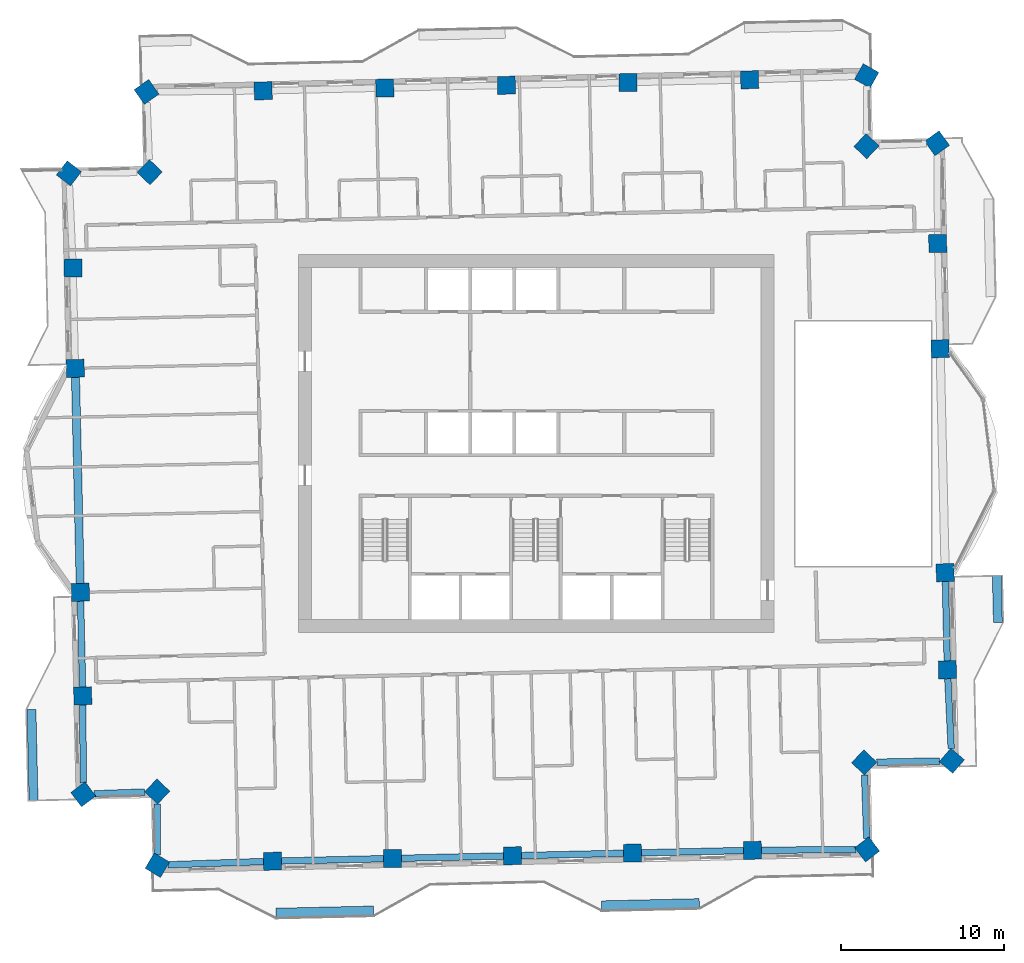
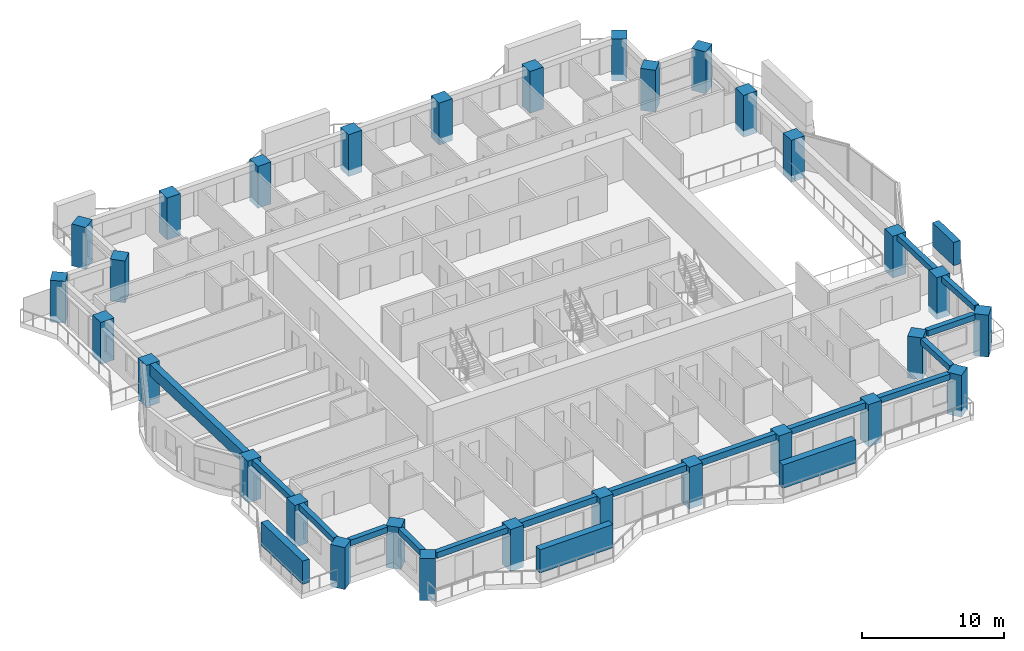
# One storey, part 1 of 16: 30 columns, 15 beams, 4 members.
"""IFC4 building model written with IfcOpenShell, lengths in metres."""

from ifc_helpers import new_model, si_unit, direction, frame, origin, origin_2d, place, context, subcontext, project, spatial, rectangle, extrude, material, material_profile, profile_set, type_object, element, save


model = new_model("IFC4")

# Units and contexts
model_context = context("Model", 3, precision=1e-05, world=origin(), true_north=direction((0.0, 1.0)))
body_context = subcontext(model_context, "Body", "Model", "MODEL_VIEW")
ifc_project = project(units=[si_unit("LENGTHUNIT", "METRE"), si_unit("AREAUNIT", "SQUARE_METRE"), si_unit("VOLUMEUNIT", "CUBIC_METRE"), si_unit("PLANEANGLEUNIT", "RADIAN"), si_unit("MASSUNIT", "GRAM", prefix="KILO")], contexts=[model_context])

# Site, building, storey
site_placement = place(None, origin())
site = spatial("IfcSite", under=ifc_project, at=site_placement, CompositionType="ELEMENT")
building_placement = place(site_placement, origin())
building = spatial("IfcBuilding", under=site, at=building_placement, Name="Mangrove Gate Tower", CompositionType="ELEMENT")
storey_placement = place(building_placement, frame((0.0, 0.0, 231.10009765625)))
storey = spatial("IfcBuildingStorey", under=building, at=storey_placement, Name="L58", CompositionType="ELEMENT", Elevation=231.10009765625)

# Columns
ifc_material_1 = material(Name="Concrete C60/75", Category="concrete")
ifc_material_profile_1 = material_profile(ifc_material_1, rectangle(XDim=1.10009765625, YDim=1.10009765625, at=origin_2d()))
ifc_profile_set_1 = profile_set([ifc_material_profile_1], Name="Concrete C60/75")
column_type = type_object("IfcColumnType", Name="Column RC 1100x1100 C60/75", PredefinedType="COLUMN", material=ifc_profile_set_1)
for number, where, z_axis, x_axis, name in (
    (1, (-27.9912109375, -9.12548828125, -0.550048828125), (0.0, 0.0, 1.0), (0.022671716894, -0.999742963593, 0.0), "Column L58 W05"),
    (2, (-27.84716796875, -15.486572265625, -0.550048828125), (0.0, 0.0, 1.0), (0.02271069751, -0.999742078848, 0.0), "Column L58 W06"),
    (3, (-27.813720703125, -21.52783203125, -0.550048828125), (0.0, 0.0, 1.0), (0.604088172923, -0.796917485901, 0.0), "Column L58 W07"),
    (4, (-23.27392578125, -21.3583984375, -0.550048828125), (0.0, 0.0, 1.0), (0.722988982899, -0.690859559249, 0.0), "Column L58 W08"),
    (5, (-23.2685546875, -25.880859375, -0.550048828125), (0.0, 0.0, 1.0), (0.860102602096, -0.510121077655, 0.0), "Column L58 S01"),
    (6, (-16.195556640625, -25.63720703125, -0.550048828125), (0.0, 0.0, 1.0), (0.999743095343, 0.022665906441, 0.0), "Column L58 S02"),
    (7, (-8.829345703125, -25.47021484375, -0.550048828125), (0.0, 0.0, 1.0), (0.999743095343, 0.022665906441, 0.0), "Column L58 S03"),
    (8, (-1.46337890625, -25.30322265625, -0.550048828125), (0.0, 0.0, 1.0), (0.999743095343, 0.022665906441, 0.0), "Column L58 S04"),
    (9, (5.902587890625, -25.13623046875, -0.550048828125), (0.0, 0.0, 1.0), (0.999743095343, 0.022665906441, 0.0), "Column L58 S05"),
    (10, (13.2685546875, -24.96923828125, -0.550048828125), (0.0, 0.0, 1.0), (0.999741555365, 0.022733729908, 0.0), "Column L58 S06"),
    (11, (20.31201171875, -24.914794921875, -0.550048828125), (0.0, 0.0, 1.0), (0.792957554961, 0.609276879612, 0.0), "Column L58 S07"),
    (12, (20.12744140625, -19.572998046875, -0.550048828125), (0.0, 0.0, 1.0), (0.690952060098, 0.72290058144, 0.0), "Column L58 E01"),
    (13, (25.508056640625, -19.47021484375, -0.550048828125), (0.0, 0.0, 1.0), (0.654234577243, 0.756291688398, 0.0), "Column L58 E02"),
    (14, (25.238037109375, -13.881591796875, -0.550048828125), (0.0, 0.0, 1.0), (-0.022727116819, 0.999741705723, 0.0), "Column L58 E03"),
    (15, (25.10302734375, -7.92138671875, -0.550048828125), (0.0, 0.0, 1.0), (-0.022676462969, 0.999742855952, 0.0), "Column L58 E04"),
    (16, (24.791259765625, 5.825439453125, -0.550048828125), (0.0, 0.0, 1.0), (-0.022707923152, 0.999742141868, 0.0), "Column L58 E05"),
    (17, (24.64404296875, 12.28662109375, -0.550048828125), (0.0, 0.0, 1.0), (-0.022668680801, 0.999743032439, 0.0), "Column L58 E06"),
    (18, (24.6005859375, 18.440185546875, -0.550048828125), (0.0, 0.0, 1.0), (-0.581359179883, 0.813647038934, 0.0), "Column L58 E07"),
    (19, (20.26904296875, 18.262451171875, -0.550048828125), (0.0, 0.0, 1.0), (-0.722994264183, 0.690854032309, 0.0), "Column L58 E08"),
    (20, (20.28076171875, 22.578857421875, -0.550048828125), (0.0, 0.0, 1.0), (-0.872897238591, 0.487904100064, 0.0), "Column L58 N01"),
    (21, (13.095458984375, 22.339111328125, -0.550048828125), (0.0, 0.0, 1.0), (-0.999742388325, -0.022697070002, 0.0), "Column L58 N02"),
    (22, (5.62939453125, 22.170166015625, -0.550048828125), (0.0, 0.0, 1.0), (-0.999743905277, -0.022630153817, 0.0), "Column L58 N03"),
    (23, (-1.83642578125, 22.001220703125, -0.550048828125), (0.0, 0.0, 1.0), (-0.999742388325, -0.022697070002, 0.0), "Column L58 N04"),
    (24, (-9.302490234375, 21.8310546875, -0.550048828125), (0.0, 0.0, 1.0), (-0.999742388325, -0.022697070002, 0.0), "Column L58 N05"),
    (25, (-16.7685546875, 21.662109375, -0.550048828125), (0.0, 0.0, 1.0), (-0.999742388325, -0.022697070002, 0.0), "Column L58 N06"),
    (26, (-23.9306640625, 21.592041015625, -0.550048828125), (0.0, 0.0, 1.0), (-0.818137935301, -0.575022015946, 0.0), "Column L58 N07"),
    (27, (-23.736328125, 16.6640625, -0.550048828125), (0.0, 0.0, 1.0), (-0.690946470748, -0.722905923728, 0.0), "Column L58 W01"),
    (28, (-28.6982421875, 16.59326171875, -0.550048828125), (0.0, 0.0, 1.0), (-0.612246894698, -0.790666642734, 0.0), "Column L58 W02"),
    (29, (-28.443115234375, 10.781494140625, -0.550048828125), (0.0, 0.0, 1.0), (0.022719561495, -0.999741877449, 0.0), "Column L58 W03"),
    (30, (-28.30322265625, 4.62158203125, -0.550048828125), (0.0, 0.0, 1.0), (0.022699722219, -0.999742328108, 0.0), "Column L58 W04"),
):
    element("IfcColumn", number, at=place(storey_placement, frame(where, z_axis=z_axis, x_axis=x_axis)), inside=storey, type_object=column_type, Name=name, PredefinedType="COLUMN", context=body_context, shape_type="SweptSolid", body=[
        extrude(rectangle(XDim=1.10009765625, YDim=1.10009765625, at=origin_2d()), origin(), (0.0, 0.0, 1.0), 3.599853515625),
    ])

# Members
ifc_material_2 = material(Name="Planting on aluminium trellis", Category="aluminium")
ifc_material_profile_2 = material_profile(ifc_material_2, rectangle(XDim=0.550048828125, YDim=2.0, at=origin_2d()))
ifc_profile_set_2 = profile_set([ifc_material_profile_2], Name="Planting on aluminium trellis")
member_type = type_object("IfcMemberType", Name="Balcony greenery screen 550x2000", PredefinedType="USERDEFINED", material=ifc_profile_set_2)
member_1_placement = place(storey_placement, frame((28.337890625, -10.972900390625, 1.7998046875), z_axis=(-0.02259214234, 0.99974476498, 0.0), x_axis=(-0.99974476498, -0.02259214234, 0.0)))
element("IfcMember", 31, at=member_1_placement, inside=storey, type_object=member_type, Name="GREEN SCREEN L58 E0.1", ObjectType="PLANTING", PredefinedType="USERDEFINED", context=body_context, shape_type="SweptSolid", body=[
    extrude(rectangle(XDim=0.550048828125, YDim=2.0, at=origin_2d()), origin(), (0.0, 0.0, 1.0), 2.87451171875),
])
member_2_placement = place(storey_placement, frame((-30.866943359375, -21.9189453125, 1.7998046875), z_axis=(-0.022672873977, 0.999742937352, 0.0), x_axis=(-0.999742937352, -0.022672873977, 0.0)))
element("IfcMember", 32, at=member_2_placement, inside=storey, type_object=member_type, Name="GREEN SCREEN L58 W1.1", ObjectType="PLANTING", PredefinedType="USERDEFINED", context=body_context, shape_type="SweptSolid", body=[
    extrude(rectangle(XDim=0.550048828125, YDim=2.0, at=origin_2d()), origin(), (0.0, 0.0, 1.0), 5.599365234375),
])
for number, where, z_axis, x_axis, name in (
    (33, (-15.988037109375, -28.798095703125, 1.7998046875), (0.999743178102, 0.022662255828, 0.0), (-0.022662255828, 0.999743178102, 0.0), "GREEN SCREEN L58 S0.1"),
    (34, (4.007080078125, -28.344970703125, 1.7998046875), (0.999743178102, 0.022662255828, 0.0), (-0.022662255828, 0.999743178102, 0.0), "GREEN SCREEN L58 S1.1"),
):
    element("IfcMember", number, at=place(storey_placement, frame(where, z_axis=z_axis, x_axis=x_axis)), inside=storey, type_object=member_type, Name=name, ObjectType="PLANTING", PredefinedType="USERDEFINED", context=body_context, shape_type="SweptSolid", body=[
        extrude(rectangle(XDim=0.550048828125, YDim=2.0, at=origin_2d()), origin(), (0.0, 0.0, 1.0), 6.00048828125),
    ])

# Beams
ifc_material_3 = material(Name="Concrete C50/60", Category="concrete")
ifc_material_profile_3 = material_profile(ifc_material_3, rectangle(XDim=0.39990234375, YDim=0.5, at=origin_2d()))
ifc_profile_set_3 = profile_set([ifc_material_profile_3], Name="Concrete C50/60")
beam_type_1 = type_object("IfcBeamType", Name="Edge beam RC 400x500 C50/60", PredefinedType="BEAM", material=ifc_profile_set_3)
beam_1_placement = place(storey_placement, frame((-27.978759765625, -9.67529296875, 2.7998046875), z_axis=(0.022638157735, -0.999743724069, 0.0), x_axis=(0.999743724069, 0.022638157735, 0.0)))
element("IfcBeam", 35, at=beam_1_placement, inside=storey, type_object=beam_type_1, Name="Edge beam L58 00", PredefinedType="BEAM", context=body_context, shape_type="SweptSolid", body=[
    extrude(rectangle(XDim=0.39990234375, YDim=0.5, at=origin_2d()), origin(), (0.0, 0.0, 1.0), 5.262939453125),
])
beam_2_placement = place(storey_placement, frame((-27.843994140625, -16.03662109375, 2.7998046875), z_axis=(0.005539377327, -0.999984657532, 0.0), x_axis=(0.999984657532, 0.005539377327, 0.0)))
element("IfcBeam", 36, at=beam_2_placement, inside=storey, type_object=beam_type_1, Name="Edge beam L58 01", PredefinedType="BEAM", context=body_context, shape_type="SweptSolid", body=[
    extrude(rectangle(XDim=0.39990234375, YDim=0.5, at=origin_2d()), origin(), (0.0, 0.0, 1.0), 4.803955078125),
])
beam_3_placement = place(storey_placement, frame((-27.142578125, -21.502685546875, 2.7998046875), z_axis=(0.999304995384, 0.037276349084, 0.0), x_axis=(-0.037276349084, 0.999304995384, 0.0)))
element("IfcBeam", 37, at=beam_3_placement, inside=storey, type_object=beam_type_1, Name="Edge beam L58 02", PredefinedType="BEAM", context=body_context, shape_type="SweptSolid", body=[
    extrude(rectangle(XDim=0.39990234375, YDim=0.5, at=origin_2d()), origin(), (0.0, 0.0, 1.0), 3.1044921875),
])
beam_4_placement = place(storey_placement, frame((-23.273193359375, -22.119873046875, 2.7998046875), z_axis=(0.001251563475, -0.999999216794, 0.0), x_axis=(0.999999216794, 0.001251563475, 0.0)))
element("IfcBeam", 38, at=beam_4_placement, inside=storey, type_object=beam_type_1, Name="Edge beam L58 03", PredefinedType="BEAM", context=body_context, shape_type="SweptSolid", body=[
    extrude(rectangle(XDim=0.39990234375, YDim=0.5, at=origin_2d()), origin(), (0.0, 0.0, 1.0), 3.12109375),
])
beam_5_placement = place(storey_placement, frame((-22.61572265625, -25.8583984375, 2.7998046875), z_axis=(0.999406246135, 0.034455118442, 0.0), x_axis=(-0.034455118442, 0.999406246135, 0.0)))
element("IfcBeam", 39, at=beam_5_placement, inside=storey, type_object=beam_type_1, Name="Edge beam L58 04", PredefinedType="BEAM", context=body_context, shape_type="SweptSolid", body=[
    extrude(rectangle(XDim=0.39990234375, YDim=0.5, at=origin_2d()), origin(), (0.0, 0.0, 1.0), 5.8740234375),
])
beam_6_placement = place(storey_placement, frame((13.818603515625, -24.96484375, 2.7998046875), z_axis=(0.999970370697, 0.007697904166, 0.0), x_axis=(-0.007697904166, 0.999970370697, 0.0)))
element("IfcBeam", 40, at=beam_6_placement, inside=storey, type_object=beam_type_1, Name="Edge beam L58 09", PredefinedType="BEAM", context=body_context, shape_type="SweptSolid", body=[
    extrude(rectangle(XDim=0.39990234375, YDim=0.5, at=origin_2d()), origin(), (0.0, 0.0, 1.0), 5.803955078125),
])
beam_7_placement = place(storey_placement, frame((20.28857421875, -24.2392578125, 2.7998046875), z_axis=(-0.034490302701, 0.999405032517, 0.0), x_axis=(-0.999405032517, -0.034490302701, 0.0)))
element("IfcBeam", 41, at=beam_7_placement, inside=storey, type_object=beam_type_1, Name="Edge beam L58 10", PredefinedType="BEAM", context=body_context, shape_type="SweptSolid", body=[
    extrude(rectangle(XDim=0.39990234375, YDim=0.5, at=origin_2d()), origin(), (0.0, 0.0, 1.0), 3.900390625),
])
beam_8_placement = place(storey_placement, frame((20.90234375, -19.55810546875, 2.7998046875), z_axis=(0.999818208127, 0.019067005485, 0.0), x_axis=(-0.019067005485, 0.999818208127, 0.0)))
element("IfcBeam", 42, at=beam_8_placement, inside=storey, type_object=beam_type_1, Name="Edge beam L58 11", PredefinedType="BEAM", context=body_context, shape_type="SweptSolid", body=[
    extrude(rectangle(XDim=0.39990234375, YDim=0.5, at=origin_2d()), origin(), (0.0, 0.0, 1.0), 3.866943359375),
])
beam_9_placement = place(storey_placement, frame((25.471435546875, -18.711181640625, 2.7998046875), z_axis=(-0.048258123247, 0.998834898039, 0.0), x_axis=(-0.998834898039, -0.048258123247, 0.0)))
element("IfcBeam", 43, at=beam_9_placement, inside=storey, type_object=beam_type_1, Name="Edge beam L58 12", PredefinedType="BEAM", context=body_context, shape_type="SweptSolid", body=[
    extrude(rectangle(XDim=0.39990234375, YDim=0.5, at=origin_2d()), origin(), (0.0, 0.0, 1.0), 4.284912109375),
])
beam_10_placement = place(storey_placement, frame((25.2255859375, -13.33154296875, 2.7998046875), z_axis=(-0.022649535507, 0.999743466366, 0.0), x_axis=(-0.999743466366, -0.022649535507, 0.0)))
element("IfcBeam", 44, at=beam_10_placement, inside=storey, type_object=beam_type_1, Name="Edge beam L58 13", PredefinedType="BEAM", context=body_context, shape_type="SweptSolid", body=[
    extrude(rectangle(XDim=0.39990234375, YDim=0.5, at=origin_2d()), origin(), (0.0, 0.0, 1.0), 4.861328125),
])
ifc_material_4 = material(Name="Concrete C50/60", Category="concrete")
ifc_material_profile_4 = material_profile(ifc_material_4, rectangle(XDim=0.39990234375, YDim=0.550048828125, at=origin_2d()))
ifc_profile_set_4 = profile_set([ifc_material_profile_4], Name="Concrete C50/60")
beam_type_2 = type_object("IfcBeamType", Name="Edge beam RC 400x550 C50/60", PredefinedType="BEAM", material=ifc_profile_set_4)
for number, where, z_axis, x_axis, name in (
    (45, (-15.6455078125, -25.624755859375, 2.77490234375), (0.999743000577, 0.022670085963, 0.0), (-0.022670085963, 0.999743000577, 0.0), "Edge beam L58 05"),
    (46, (-8.279541015625, -25.457763671875, 2.77490234375), (0.999743000577, 0.022670085963, 0.0), (-0.022670085963, 0.999743000577, 0.0), "Edge beam L58 06"),
):
    element("IfcBeam", number, at=place(storey_placement, frame(where, z_axis=z_axis, x_axis=x_axis)), inside=storey, type_object=beam_type_2, Name=name, PredefinedType="BEAM", context=body_context, shape_type="SweptSolid", body=[
        extrude(rectangle(XDim=0.39990234375, YDim=0.550048828125, at=origin_2d()), origin(), (0.0, 0.0, 1.0), 6.267822265625),
    ])
for number, where, z_axis, x_axis, name in (
    (47, (-0.91357421875, -25.290771484375, 2.77490234375), (0.999743020594, 0.022669203179, 0.0), (-0.022669203179, 0.999743020594, 0.0), "Edge beam L58 07"),
    (48, (6.452392578125, -25.123779296875, 2.77490234375), (0.999743020594, 0.022669203179, 0.0), (-0.022669203179, 0.999743020594, 0.0), "Edge beam L58 08"),
):
    element("IfcBeam", number, at=place(storey_placement, frame(where, z_axis=z_axis, x_axis=x_axis)), inside=storey, type_object=beam_type_2, Name=name, PredefinedType="BEAM", context=body_context, shape_type="SweptSolid", body=[
        extrude(rectangle(XDim=0.39990234375, YDim=0.550048828125, at=origin_2d()), origin(), (0.0, 0.0, 1.0), 6.26806640625),
    ])
ifc_material_5 = material(Name="Concrete C50/60", Category="concrete")
ifc_material_profile_5 = material_profile(ifc_material_5, rectangle(XDim=0.5, YDim=1.0, at=origin_2d()))
ifc_profile_set_5 = profile_set([ifc_material_profile_5], Name="Concrete C50/60")
beam_type_3 = type_object("IfcBeamType", Name="Edge beam RC 500x1000 C50/60", PredefinedType="BEAM", material=ifc_profile_set_5)
beam_11_placement = place(storey_placement, frame((-28.290771484375, 4.071533203125, 2.5498046875), z_axis=(0.022695540596, -0.999742423046, 0.0), x_axis=(0.999742423046, 0.022695540596, 0.0)))
element("IfcBeam", 49, at=beam_11_placement, inside=storey, type_object=beam_type_3, Name="Edge beam L58 29", PredefinedType="BEAM", context=body_context, shape_type="SweptSolid", body=[
    extrude(rectangle(XDim=0.5, YDim=1.0, at=origin_2d()), origin(), (0.0, 0.0, 1.0), 12.650390625),
])

save(model, "model.ifc")
